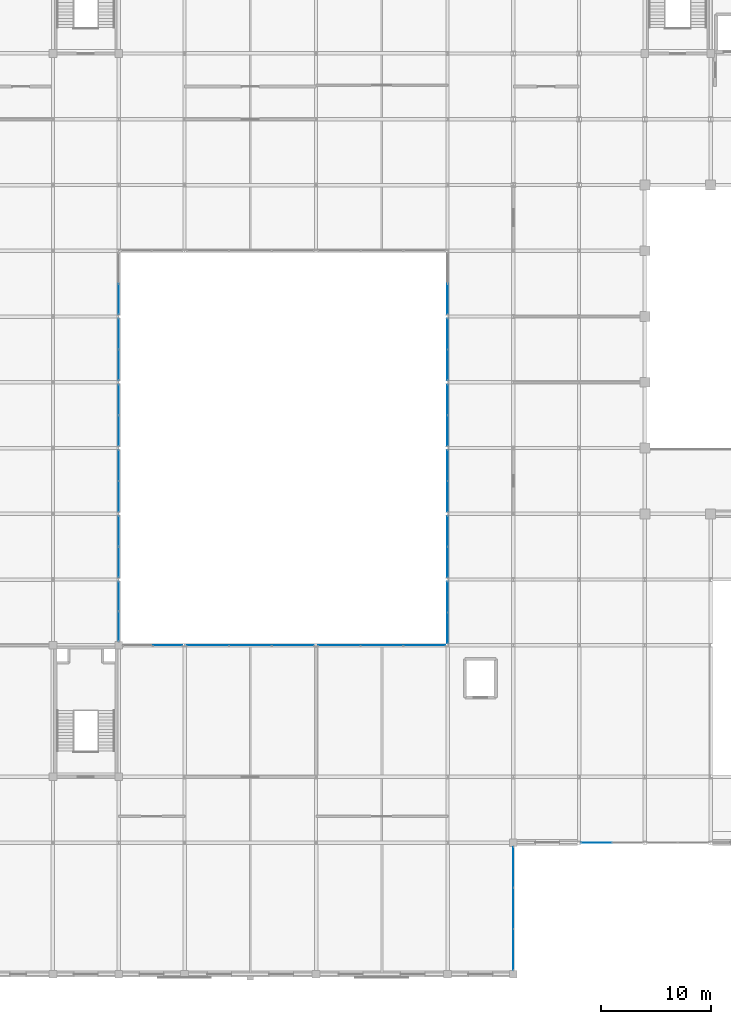
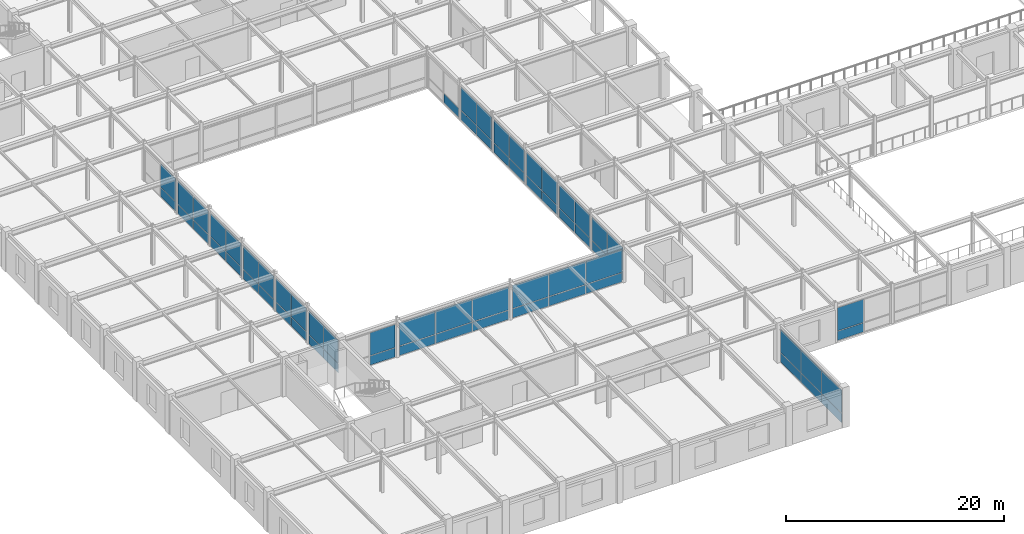
# One storey, part 93 of 108: 65 plates, 17 elements without a shape of their own.
"""IFC4 building model written with IfcOpenShell, lengths in metres."""

import ifcopenshell
import ifcopenshell.guid

model = None  # the IFC model being written
_history = None  # IfcOwnerHistory: only IFC2X3 demands one
_inside = {}  # id of a spatial element -> (the spatial element, [elements in it])
_under = {}  # id of a project, library or spatial element -> (it, [spatial elements below it])
_declared = {}  # id of a project -> (the project, [libraries it declares])
_typed = {}  # id of a type object -> (the type object, [elements of that type])
_made_of = {}  # id of a material, layer set ... -> (it, [elements and type objects made of it])


def new_model(schema):
    """Start an empty IFC model of exactly this schema.

    Asked for "IFC4X3", IfcOpenShell would pick the latest addendum, in which some entities
    have other attributes; the version numbers below select the first issue.
    IFC2X3 requires an IfcOwnerHistory on every rooted entity: one is made here for all.
    """
    global model, _history
    if schema == "IFC4X3":
        model = ifcopenshell.file(schema_version=(4, 3, 0, 0))
    else:
        model = ifcopenshell.file(schema=schema)
    _inside.clear()
    _under.clear()
    _declared.clear()
    _typed.clear()
    _made_of.clear()
    _history = None
    if model.schema == "IFC2X3":
        org = make("IfcOrganization", Name="unknown")
        user = make(
            "IfcPersonAndOrganization",
            ThePerson=make("IfcPerson", FamilyName="unknown"),
            TheOrganization=org,
        )
        app = make(
            "IfcApplication",
            ApplicationDeveloper=org,
            Version="unknown",
            ApplicationFullName="unknown",
            ApplicationIdentifier="unknown",
        )
        _history = make(
            "IfcOwnerHistory",
            OwningUser=user,
            OwningApplication=app,
            ChangeAction="ADDED",
            CreationDate=0,
        )
    return model


def make(cls, **values):
    """One entity of the class cls with the attributes given. An attribute that is None is left unset."""
    return model.create_entity(
        cls, **{name: value for name, value in values.items() if value is not None}
    )


def rooted(cls, **values):
    """An entity with a GlobalId (a new one), such as an element, a storey or a relation."""
    return make(cls, GlobalId=ifcopenshell.guid.new(), OwnerHistory=_history, **values)


def si_unit(unit_type, name, prefix=None):
    """IfcSIUnit, for example si_unit("LENGTHUNIT", "METRE", prefix="MILLI")."""
    return make("IfcSIUnit", UnitType=unit_type, Prefix=prefix, Name=name)


def assignment(units):
    """IfcUnitAssignment: the units of a project."""
    return None if units is None else make("IfcUnitAssignment", Units=units)


def point(xyz):
    """IfcCartesianPoint."""
    return None if xyz is None else make("IfcCartesianPoint", Coordinates=xyz)


def direction(xyz):
    """IfcDirection."""
    return None if xyz is None else make("IfcDirection", DirectionRatios=xyz)


def frame(location, z_axis=None, x_axis=None):
    """IfcAxis2Placement3D, a coordinate frame: its origin and axes. An axis left out is left unset."""
    return make(
        "IfcAxis2Placement3D",
        Location=point(location),
        Axis=direction(z_axis),
        RefDirection=direction(x_axis),
    )


def frame_2d(location, x_axis=None):
    """IfcAxis2Placement2D, a coordinate frame in the plane: its origin and x axis."""
    return make(
        "IfcAxis2Placement2D", Location=point(location), RefDirection=direction(x_axis)
    )


def origin():
    """The frame at (0, 0, 0) with its axes left unset."""
    return frame((0.0, 0.0, 0.0))


def origin_2d():
    """The frame at (0, 0) in the plane with its x axis left unset."""
    return frame_2d((0.0, 0.0))


def place(relative_to, where):
    """IfcLocalPlacement: puts the frame where relative to a parent placement (None: the world)."""
    return make(
        "IfcLocalPlacement", PlacementRelTo=relative_to, RelativePlacement=where
    )


def context(
    kind, dimensions, precision=None, world=None, true_north=None, identifier=None
):
    """IfcGeometricRepresentationContext, for example the 3D "Model" context."""
    return make(
        "IfcGeometricRepresentationContext",
        ContextIdentifier=identifier,
        ContextType=kind,
        CoordinateSpaceDimension=dimensions,
        Precision=precision,
        WorldCoordinateSystem=world,
        TrueNorth=true_north,
    )


def subcontext(parent, identifier, kind, view, scale=None):
    """IfcGeometricRepresentationSubContext, for example "Body" below "Model"."""
    return make(
        "IfcGeometricRepresentationSubContext",
        ContextIdentifier=identifier,
        ContextType=kind,
        ParentContext=parent,
        TargetScale=scale,
        TargetView=view,
    )


def project(units=None, contexts=None):
    """IfcProject with its units and contexts."""
    return rooted(
        "IfcProject",
        Name="project",
        RepresentationContexts=contexts,
        UnitsInContext=assignment(units),
    )


def spatial(cls, under=None, at=None, **own):
    """A site, building, storey or space (cls), placed at a placement, below another one or the project."""
    s = rooted(cls, ObjectPlacement=at, **own)
    if under is not None:
        _under.setdefault(under.id(), (under, []))[1].append(s)
    return s


def profile(cls, at=None, kind="AREA", **sizes):
    """A parametric profile (cls). Its sizes go by their IFC names, for example OverallWidth=200.0."""
    return make(cls, ProfileType=kind, Position=at, **sizes)


def rectangle(**sizes):
    """IfcRectangleProfileDef."""
    return profile("IfcRectangleProfileDef", **sizes)


def extrude(swept, where, along, depth):
    """IfcExtrudedAreaSolid: the profile swept, set in the frame where, extruded along a direction by depth."""
    return make(
        "IfcExtrudedAreaSolid",
        SweptArea=swept,
        Position=where,
        ExtrudedDirection=direction(along),
        Depth=depth,
    )


def shape(context_of_items, identifier, shape_type, items):
    """IfcShapeRepresentation: the items that make up one representation, for example the "Body"."""
    return make(
        "IfcShapeRepresentation",
        ContextOfItems=context_of_items,
        RepresentationIdentifier=identifier,
        RepresentationType=shape_type,
        Items=items,
    )


def material(Name=None, Category=None):
    """IfcMaterial."""
    return make("IfcMaterial", Name=Name, Category=Category)


def layer(
    of_material, thickness, ventilated=None, Name=None, Category=None, Priority=None
):
    """IfcMaterialLayer: one layer of a wall or slab, of a material (None: an air gap)."""
    return make(
        "IfcMaterialLayer",
        Material=of_material,
        LayerThickness=thickness,
        IsVentilated=ventilated,
        Name=Name,
        Category=Category,
        Priority=Priority,
    )


def layer_set(layers, Name=None):
    """IfcMaterialLayerSet."""
    return make("IfcMaterialLayerSet", MaterialLayers=layers, LayerSetName=Name)


def made_of(thing, what):
    """Note that an element or type object is made of a material, layer set ...; save() writes the relation."""
    if what is not None:
        _made_of.setdefault(what.id(), (what, []))[1].append(thing)
    return thing


def type_object(cls, material=None, **own):
    """A type object (cls), such as IfcWallType, which elements share."""
    return made_of(rooted(cls, **own), material)


def element(
    cls,
    number,
    at=None,
    inside=None,
    cuts=None,
    type_object=None,
    material=None,
    context=None,
    identifier="Body",
    shape_type=None,
    held_by="IfcProductDefinitionShape",
    body=None,
    shapes=None,
    **own,
):
    """One element of the class cls, such as IfcWall. Its Tag is "e" and its number.

    at: its placement. inside: the storey or other place that contains it. cuts: it is an
    opening in that element (IfcRelVoidsElement). A single representation is given by context,
    identifier, shape_type and body (its items); several are given by shapes. held_by: the class
    of the entity that holds the representations. save() writes the other relations.
    """
    e = rooted(cls, Tag="e%d" % number, ObjectPlacement=at, **own)
    if body is not None:
        shapes = [shape(context, identifier, shape_type, body)]
    if shapes is not None:
        e.Representation = make(held_by, Representations=shapes)
    if inside is not None:
        _inside.setdefault(inside.id(), (inside, []))[1].append(e)
    if cuts is not None:
        rooted(
            "IfcRelVoidsElement", RelatingBuildingElement=cuts, RelatedOpeningElement=e
        )
    if type_object is not None:
        _typed.setdefault(type_object.id(), (type_object, []))[1].append(e)
    return made_of(e, material)


def aggregate(whole, parts):
    """IfcRelAggregates: a whole, such as a stair, and the parts it consists of."""
    return rooted("IfcRelAggregates", RelatingObject=whole, RelatedObjects=parts)


def save(model, path):
    """Write the relations noted so far, then the file.

    IfcRelAggregates (storeys below a building ...), IfcRelContainedInSpatialStructure (elements
    in a storey), IfcRelDefinesByType, IfcRelAssociatesMaterial and IfcRelDeclares: one each for
    every whole, place, type object, material and project.
    """
    for whole, parts in _under.values():
        aggregate(whole, parts)
    for where, things in _inside.values():
        rooted(
            "IfcRelContainedInSpatialStructure",
            RelatedElements=things,
            RelatingStructure=where,
        )
    for kind, things in _typed.values():
        rooted("IfcRelDefinesByType", RelatedObjects=things, RelatingType=kind)
    for what, things in _made_of.values():
        rooted("IfcRelAssociatesMaterial", RelatedObjects=things, RelatingMaterial=what)
    for by, libraries in _declared.values():
        rooted("IfcRelDeclares", RelatingContext=by, RelatedDefinitions=libraries)
    model.write(path)


model = new_model("IFC4")

# Units and contexts
model_context = context("Model", 3, precision=1e-05, world=origin(), true_north=direction((0.0, 1.0)))
body_context = subcontext(model_context, "Body", "Model", "MODEL_VIEW")
ifc_project = project(units=[si_unit("LENGTHUNIT", "METRE"), si_unit("AREAUNIT", "SQUARE_METRE"), si_unit("VOLUMEUNIT", "CUBIC_METRE"), si_unit("PLANEANGLEUNIT", "RADIAN"), si_unit("MASSUNIT", "GRAM", prefix="KILO")], contexts=[model_context])

# Site, building, storey
site_placement = place(None, origin())
site = spatial("IfcSite", under=ifc_project, at=site_placement, CompositionType="ELEMENT")
building_placement = place(site_placement, origin())
building = spatial("IfcBuilding", under=site, at=building_placement, Name="Zlatovratsky Civic Hall", CompositionType="ELEMENT")
storey_placement = place(building_placement, frame((0.0, 0.0, 12.0)))
storey = spatial("IfcBuildingStorey", under=building, at=storey_placement, Name="L03", CompositionType="ELEMENT", Elevation=12.0)

# Curtain wall, plates
ifc_material_1 = material(Name="Anodised bronze aluminium", Category="aluminium")
ifc_layer_1 = layer(ifc_material_1, 0.159912109375)
ifc_layer_set_1 = layer_set([ifc_layer_1], Name="Anodised bronze aluminium")
curtain_wall_type_1 = type_object("IfcCurtainWallType", Name="CurtainWall_Bronze_5500x3770_10", PredefinedType="NOTDEFINED", material=ifc_layer_set_1)
curtain_wall_1_placement = place(storey_placement, origin())
curtain_wall_1 = element("IfcCurtainWall", 1, at=curtain_wall_1_placement, inside=storey, type_object=curtain_wall_type_1, Name="CW-051", PredefinedType="NOTDEFINED")
ifc_material_2 = material(Name="Low-E laminated double glazing", Category="glass")
ifc_layer_2 = layer(ifc_material_2, 0.02392578125)
ifc_layer_set_2 = layer_set([ifc_layer_2], Name="Low-E laminated double glazing")
plate_type_1 = type_object("IfcPlateType", Name="Panel_CourtGlazing_24", PredefinedType="CURTAIN_PANEL", material=ifc_layer_set_2)
plate_1_placement = place(storey_placement, frame((22.46044921875, 30.0, 0.06005859375), z_axis=(0.0, 0.0, 1.0), x_axis=(1.0, 0.0, 0.0)))
plate_1 = element("IfcPlate", 2, at=plate_1_placement, type_object=plate_type_1, Name="CW-10 panel 2.1", PredefinedType="CURTAIN_PANEL", context=body_context, shape_type="SweptSolid", body=[
    extrude(rectangle(XDim=2.66015625, YDim=0.02392578125, at=origin_2d()), origin(), (0.0, 0.0, 1.0), 1.010009765625),
])
plate_2_placement = place(storey_placement, frame((22.46044921875, 30.0, 1.1298828125), z_axis=(0.0, 0.0, 1.0), x_axis=(1.0, 0.0, 0.0)))
plate_2 = element("IfcPlate", 3, at=plate_2_placement, type_object=plate_type_1, Name="CW-10 panel 2.2", PredefinedType="CURTAIN_PANEL", context=body_context, shape_type="SweptSolid", body=[
    extrude(rectangle(XDim=2.66015625, YDim=0.02392578125, at=origin_2d()), origin(), (0.0, 0.0, 1.0), 2.580078125),
])
aggregate(curtain_wall_1, [plate_1, plate_2])

ifc_layer_3 = layer(ifc_material_1, 0.159912109375)
ifc_layer_set_3 = layer_set([ifc_layer_3], Name="Anodised bronze aluminium")
curtain_wall_type_2 = type_object("IfcCurtainWallType", Name="CurtainWall_Bronze_11700x3770_11", PredefinedType="NOTDEFINED", material=ifc_layer_set_3)
curtain_wall_2_placement = place(storey_placement, origin())
curtain_wall_2 = element("IfcCurtainWall", 4, at=curtain_wall_2_placement, inside=storey, type_object=curtain_wall_type_2, Name="CW-052", PredefinedType="NOTDEFINED")
plate_3_placement = place(storey_placement, frame((26.11474609375, 30.0, 0.06005859375), z_axis=(0.0, 0.0, 1.0), x_axis=(1.0, 0.0, 0.0)))
plate_3 = element("IfcPlate", 5, at=plate_3_placement, type_object=plate_type_1, Name="CW-11 panel 1.1", PredefinedType="CURTAIN_PANEL", context=body_context, shape_type="SweptSolid", body=[
    extrude(rectangle(XDim=3.810302734375, YDim=0.02392578125, at=origin_2d()), origin(), (0.0, 0.0, 1.0), 1.010009765625),
])
plate_4_placement = place(storey_placement, frame((26.11474609375, 30.0, 1.1298828125), z_axis=(0.0, 0.0, 1.0), x_axis=(1.0, 0.0, 0.0)))
plate_4 = element("IfcPlate", 6, at=plate_4_placement, type_object=plate_type_1, Name="CW-11 panel 1.2", PredefinedType="CURTAIN_PANEL", context=body_context, shape_type="SweptSolid", body=[
    extrude(rectangle(XDim=3.810302734375, YDim=0.02392578125, at=origin_2d()), origin(), (0.0, 0.0, 1.0), 2.580078125),
])
plate_5_placement = place(storey_placement, frame((30.0, 30.0, 0.06005859375), z_axis=(0.0, 0.0, 1.0), x_axis=(1.0, 0.0, 0.0)))
plate_5 = element("IfcPlate", 7, at=plate_5_placement, type_object=plate_type_1, Name="CW-11 panel 2.1", PredefinedType="CURTAIN_PANEL", context=body_context, shape_type="SweptSolid", body=[
    extrude(rectangle(XDim=3.84033203125, YDim=0.02392578125, at=origin_2d()), origin(), (0.0, 0.0, 1.0), 1.010009765625),
])
plate_6_placement = place(storey_placement, frame((30.0, 30.0, 1.1298828125), z_axis=(0.0, 0.0, 1.0), x_axis=(1.0, 0.0, 0.0)))
plate_6 = element("IfcPlate", 8, at=plate_6_placement, type_object=plate_type_1, Name="CW-11 panel 2.2", PredefinedType="CURTAIN_PANEL", context=body_context, shape_type="SweptSolid", body=[
    extrude(rectangle(XDim=3.84033203125, YDim=0.02392578125, at=origin_2d()), origin(), (0.0, 0.0, 1.0), 2.580078125),
])
plate_7_placement = place(storey_placement, frame((33.88525390625, 30.0, 0.06005859375), z_axis=(0.0, 0.0, 1.0), x_axis=(1.0, 0.0, 0.0)))
plate_7 = element("IfcPlate", 9, at=plate_7_placement, type_object=plate_type_1, Name="CW-11 panel 3.1", PredefinedType="CURTAIN_PANEL", context=body_context, shape_type="SweptSolid", body=[
    extrude(rectangle(XDim=3.810302734375, YDim=0.02392578125, at=origin_2d()), origin(), (0.0, 0.0, 1.0), 1.010009765625),
])
plate_8_placement = place(storey_placement, frame((33.88525390625, 30.0, 1.1298828125), z_axis=(0.0, 0.0, 1.0), x_axis=(1.0, 0.0, 0.0)))
plate_8 = element("IfcPlate", 10, at=plate_8_placement, type_object=plate_type_1, Name="CW-11 panel 3.2", PredefinedType="CURTAIN_PANEL", context=body_context, shape_type="SweptSolid", body=[
    extrude(rectangle(XDim=3.810302734375, YDim=0.02392578125, at=origin_2d()), origin(), (0.0, 0.0, 1.0), 2.580078125),
])
aggregate(curtain_wall_2, [plate_3, plate_4, plate_5, plate_6, plate_7, plate_8])

curtain_wall_3_placement = place(storey_placement, origin())
curtain_wall_3 = element("IfcCurtainWall", 11, at=curtain_wall_3_placement, inside=storey, type_object=curtain_wall_type_2, Name="CW-053", PredefinedType="NOTDEFINED")
plate_9_placement = place(storey_placement, frame((38.11474609375, 30.0, 0.06005859375), z_axis=(0.0, 0.0, 1.0), x_axis=(1.0, 0.0, 0.0)))
plate_9 = element("IfcPlate", 12, at=plate_9_placement, type_object=plate_type_1, Name="CW-11 panel 1.1", PredefinedType="CURTAIN_PANEL", context=body_context, shape_type="SweptSolid", body=[
    extrude(rectangle(XDim=3.810302734375, YDim=0.02392578125, at=origin_2d()), origin(), (0.0, 0.0, 1.0), 1.010009765625),
])
plate_10_placement = place(storey_placement, frame((38.11474609375, 30.0, 1.1298828125), z_axis=(0.0, 0.0, 1.0), x_axis=(1.0, 0.0, 0.0)))
plate_10 = element("IfcPlate", 13, at=plate_10_placement, type_object=plate_type_1, Name="CW-11 panel 1.2", PredefinedType="CURTAIN_PANEL", context=body_context, shape_type="SweptSolid", body=[
    extrude(rectangle(XDim=3.810302734375, YDim=0.02392578125, at=origin_2d()), origin(), (0.0, 0.0, 1.0), 2.580078125),
])
plate_11_placement = place(storey_placement, frame((42.0, 30.0, 0.06005859375), z_axis=(0.0, 0.0, 1.0), x_axis=(1.0, 0.0, 0.0)))
plate_11 = element("IfcPlate", 14, at=plate_11_placement, type_object=plate_type_1, Name="CW-11 panel 2.1", PredefinedType="CURTAIN_PANEL", context=body_context, shape_type="SweptSolid", body=[
    extrude(rectangle(XDim=3.84033203125, YDim=0.02392578125, at=origin_2d()), origin(), (0.0, 0.0, 1.0), 1.010009765625),
])
plate_12_placement = place(storey_placement, frame((42.0, 30.0, 1.1298828125), z_axis=(0.0, 0.0, 1.0), x_axis=(1.0, 0.0, 0.0)))
plate_12 = element("IfcPlate", 15, at=plate_12_placement, type_object=plate_type_1, Name="CW-11 panel 2.2", PredefinedType="CURTAIN_PANEL", context=body_context, shape_type="SweptSolid", body=[
    extrude(rectangle(XDim=3.84033203125, YDim=0.02392578125, at=origin_2d()), origin(), (0.0, 0.0, 1.0), 2.580078125),
])
plate_13_placement = place(storey_placement, frame((45.88525390625, 30.0, 0.06005859375), z_axis=(0.0, 0.0, 1.0), x_axis=(1.0, 0.0, 0.0)))
plate_13 = element("IfcPlate", 16, at=plate_13_placement, type_object=plate_type_1, Name="CW-11 panel 3.1", PredefinedType="CURTAIN_PANEL", context=body_context, shape_type="SweptSolid", body=[
    extrude(rectangle(XDim=3.810302734375, YDim=0.02392578125, at=origin_2d()), origin(), (0.0, 0.0, 1.0), 1.010009765625),
])
plate_14_placement = place(storey_placement, frame((45.88525390625, 30.0, 1.1298828125), z_axis=(0.0, 0.0, 1.0), x_axis=(1.0, 0.0, 0.0)))
plate_14 = element("IfcPlate", 17, at=plate_14_placement, type_object=plate_type_1, Name="CW-11 panel 3.2", PredefinedType="CURTAIN_PANEL", context=body_context, shape_type="SweptSolid", body=[
    extrude(rectangle(XDim=3.810302734375, YDim=0.02392578125, at=origin_2d()), origin(), (0.0, 0.0, 1.0), 2.580078125),
])
aggregate(curtain_wall_3, [plate_9, plate_10, plate_11, plate_12, plate_13, plate_14])

curtain_wall_4_placement = place(storey_placement, origin())
curtain_wall_4 = element("IfcCurtainWall", 18, at=curtain_wall_4_placement, inside=storey, type_object=curtain_wall_type_1, Name="CW-057", PredefinedType="NOTDEFINED")
plate_15_placement = place(storey_placement, frame((18.0, 31.740478515625, 0.06005859375), z_axis=(0.0, 0.0, 1.0), x_axis=(0.0, 1.0, 0.0)))
plate_15 = element("IfcPlate", 19, at=plate_15_placement, type_object=plate_type_1, Name="CW-10 panel 1.1", PredefinedType="CURTAIN_PANEL", context=body_context, shape_type="SweptSolid", body=[
    extrude(rectangle(XDim=2.660888671875, YDim=0.02392578125, at=origin_2d()), origin(), (0.0, 0.0, 1.0), 1.010009765625),
])
plate_16_placement = place(storey_placement, frame((18.0, 31.740478515625, 1.1298828125), z_axis=(0.0, 0.0, 1.0), x_axis=(0.0, 1.0, 0.0)))
plate_16 = element("IfcPlate", 20, at=plate_16_placement, type_object=plate_type_1, Name="CW-10 panel 1.2", PredefinedType="CURTAIN_PANEL", context=body_context, shape_type="SweptSolid", body=[
    extrude(rectangle(XDim=2.660888671875, YDim=0.02392578125, at=origin_2d()), origin(), (0.0, 0.0, 1.0), 2.580078125),
])
plate_17_placement = place(storey_placement, frame((18.0, 34.46142578125, 0.06005859375), z_axis=(0.0, 0.0, 1.0), x_axis=(0.0, 1.0, 0.0)))
plate_17 = element("IfcPlate", 21, at=plate_17_placement, type_object=plate_type_1, Name="CW-10 panel 2.1", PredefinedType="CURTAIN_PANEL", context=body_context, shape_type="SweptSolid", body=[
    extrude(rectangle(XDim=2.660888671875, YDim=0.02392578125, at=origin_2d()), origin(), (0.0, 0.0, 1.0), 1.010009765625),
])
plate_18_placement = place(storey_placement, frame((18.0, 34.46142578125, 1.1298828125), z_axis=(0.0, 0.0, 1.0), x_axis=(0.0, 1.0, 0.0)))
plate_18 = element("IfcPlate", 22, at=plate_18_placement, type_object=plate_type_1, Name="CW-10 panel 2.2", PredefinedType="CURTAIN_PANEL", context=body_context, shape_type="SweptSolid", body=[
    extrude(rectangle(XDim=2.660888671875, YDim=0.02392578125, at=origin_2d()), origin(), (0.0, 0.0, 1.0), 2.580078125),
])
aggregate(curtain_wall_4, [plate_15, plate_16, plate_17, plate_18])

ifc_layer_4 = layer(ifc_material_1, 0.159912109375)
ifc_layer_set_4 = layer_set([ifc_layer_4], Name="Anodised bronze aluminium")
curtain_wall_type_3 = type_object("IfcCurtainWallType", Name="CurtainWall_Bronze_5700x3770_12", PredefinedType="NOTDEFINED", material=ifc_layer_set_4)
curtain_wall_5_placement = place(storey_placement, origin())
curtain_wall_5 = element("IfcCurtainWall", 23, at=curtain_wall_5_placement, inside=storey, type_object=curtain_wall_type_3, Name="CW-058", PredefinedType="NOTDEFINED")
plate_19_placement = place(storey_placement, frame((18.0, 37.589111328125, 0.06005859375), z_axis=(0.0, 0.0, 1.0), x_axis=(0.0, 1.0, 0.0)))
plate_19 = element("IfcPlate", 24, at=plate_19_placement, type_object=plate_type_1, Name="CW-12 panel 1.1", PredefinedType="CURTAIN_PANEL", context=body_context, shape_type="SweptSolid", body=[
    extrude(rectangle(XDim=2.761962890625, YDim=0.02392578125, at=origin_2d()), origin(), (0.0, 0.0, 1.0), 1.010009765625),
])
plate_20_placement = place(storey_placement, frame((18.0, 37.589111328125, 1.1298828125), z_axis=(0.0, 0.0, 1.0), x_axis=(0.0, 1.0, 0.0)))
plate_20 = element("IfcPlate", 25, at=plate_20_placement, type_object=plate_type_1, Name="CW-12 panel 1.2", PredefinedType="CURTAIN_PANEL", context=body_context, shape_type="SweptSolid", body=[
    extrude(rectangle(XDim=2.761962890625, YDim=0.02392578125, at=origin_2d()), origin(), (0.0, 0.0, 1.0), 2.580078125),
])
plate_21_placement = place(storey_placement, frame((18.0, 40.410888671875, 0.06005859375), z_axis=(0.0, 0.0, 1.0), x_axis=(0.0, 1.0, 0.0)))
plate_21 = element("IfcPlate", 26, at=plate_21_placement, type_object=plate_type_1, Name="CW-12 panel 2.1", PredefinedType="CURTAIN_PANEL", context=body_context, shape_type="SweptSolid", body=[
    extrude(rectangle(XDim=2.761962890625, YDim=0.02392578125, at=origin_2d()), origin(), (0.0, 0.0, 1.0), 1.010009765625),
])
plate_22_placement = place(storey_placement, frame((18.0, 40.410888671875, 1.1298828125), z_axis=(0.0, 0.0, 1.0), x_axis=(0.0, 1.0, 0.0)))
plate_22 = element("IfcPlate", 27, at=plate_22_placement, type_object=plate_type_1, Name="CW-12 panel 2.2", PredefinedType="CURTAIN_PANEL", context=body_context, shape_type="SweptSolid", body=[
    extrude(rectangle(XDim=2.761962890625, YDim=0.02392578125, at=origin_2d()), origin(), (0.0, 0.0, 1.0), 2.580078125),
])
aggregate(curtain_wall_5, [plate_19, plate_20, plate_21, plate_22])

curtain_wall_6_placement = place(storey_placement, origin())
curtain_wall_6 = element("IfcCurtainWall", 28, at=curtain_wall_6_placement, inside=storey, type_object=curtain_wall_type_3, Name="CW-059", PredefinedType="NOTDEFINED")
plate_23_placement = place(storey_placement, frame((18.0, 43.589111328125, 0.06005859375), z_axis=(0.0, 0.0, 1.0), x_axis=(0.0, 1.0, 0.0)))
plate_23 = element("IfcPlate", 29, at=plate_23_placement, type_object=plate_type_1, Name="CW-12 panel 1.1", PredefinedType="CURTAIN_PANEL", context=body_context, shape_type="SweptSolid", body=[
    extrude(rectangle(XDim=2.761962890625, YDim=0.02392578125, at=origin_2d()), origin(), (0.0, 0.0, 1.0), 1.010009765625),
])
plate_24_placement = place(storey_placement, frame((18.0, 43.589111328125, 1.1298828125), z_axis=(0.0, 0.0, 1.0), x_axis=(0.0, 1.0, 0.0)))
plate_24 = element("IfcPlate", 30, at=plate_24_placement, type_object=plate_type_1, Name="CW-12 panel 1.2", PredefinedType="CURTAIN_PANEL", context=body_context, shape_type="SweptSolid", body=[
    extrude(rectangle(XDim=2.761962890625, YDim=0.02392578125, at=origin_2d()), origin(), (0.0, 0.0, 1.0), 2.580078125),
])
plate_25_placement = place(storey_placement, frame((18.0, 46.410888671875, 0.06005859375), z_axis=(0.0, 0.0, 1.0), x_axis=(0.0, 1.0, 0.0)))
plate_25 = element("IfcPlate", 31, at=plate_25_placement, type_object=plate_type_1, Name="CW-12 panel 2.1", PredefinedType="CURTAIN_PANEL", context=body_context, shape_type="SweptSolid", body=[
    extrude(rectangle(XDim=2.761962890625, YDim=0.02392578125, at=origin_2d()), origin(), (0.0, 0.0, 1.0), 1.010009765625),
])
plate_26_placement = place(storey_placement, frame((18.0, 46.410888671875, 1.1298828125), z_axis=(0.0, 0.0, 1.0), x_axis=(0.0, 1.0, 0.0)))
plate_26 = element("IfcPlate", 32, at=plate_26_placement, type_object=plate_type_1, Name="CW-12 panel 2.2", PredefinedType="CURTAIN_PANEL", context=body_context, shape_type="SweptSolid", body=[
    extrude(rectangle(XDim=2.761962890625, YDim=0.02392578125, at=origin_2d()), origin(), (0.0, 0.0, 1.0), 2.580078125),
])
aggregate(curtain_wall_6, [plate_23, plate_24, plate_25, plate_26])

curtain_wall_7_placement = place(storey_placement, origin())
curtain_wall_7 = element("IfcCurtainWall", 33, at=curtain_wall_7_placement, inside=storey, type_object=curtain_wall_type_3, Name="CW-060", PredefinedType="NOTDEFINED")
plate_27_placement = place(storey_placement, frame((18.0, 49.589111328125, 0.06005859375), z_axis=(0.0, 0.0, 1.0), x_axis=(0.0, 1.0, 0.0)))
plate_27 = element("IfcPlate", 34, at=plate_27_placement, type_object=plate_type_1, Name="CW-12 panel 1.1", PredefinedType="CURTAIN_PANEL", context=body_context, shape_type="SweptSolid", body=[
    extrude(rectangle(XDim=2.761962890625, YDim=0.02392578125, at=origin_2d()), origin(), (0.0, 0.0, 1.0), 1.010009765625),
])
plate_28_placement = place(storey_placement, frame((18.0, 49.589111328125, 1.1298828125), z_axis=(0.0, 0.0, 1.0), x_axis=(0.0, 1.0, 0.0)))
plate_28 = element("IfcPlate", 35, at=plate_28_placement, type_object=plate_type_1, Name="CW-12 panel 1.2", PredefinedType="CURTAIN_PANEL", context=body_context, shape_type="SweptSolid", body=[
    extrude(rectangle(XDim=2.761962890625, YDim=0.02392578125, at=origin_2d()), origin(), (0.0, 0.0, 1.0), 2.580078125),
])
plate_29_placement = place(storey_placement, frame((18.0, 52.410888671875, 0.06005859375), z_axis=(0.0, 0.0, 1.0), x_axis=(0.0, 1.0, 0.0)))
plate_29 = element("IfcPlate", 36, at=plate_29_placement, type_object=plate_type_1, Name="CW-12 panel 2.1", PredefinedType="CURTAIN_PANEL", context=body_context, shape_type="SweptSolid", body=[
    extrude(rectangle(XDim=2.761962890625, YDim=0.02392578125, at=origin_2d()), origin(), (0.0, 0.0, 1.0), 1.010009765625),
])
plate_30_placement = place(storey_placement, frame((18.0, 52.410888671875, 1.1298828125), z_axis=(0.0, 0.0, 1.0), x_axis=(0.0, 1.0, 0.0)))
plate_30 = element("IfcPlate", 37, at=plate_30_placement, type_object=plate_type_1, Name="CW-12 panel 2.2", PredefinedType="CURTAIN_PANEL", context=body_context, shape_type="SweptSolid", body=[
    extrude(rectangle(XDim=2.761962890625, YDim=0.02392578125, at=origin_2d()), origin(), (0.0, 0.0, 1.0), 2.580078125),
])
aggregate(curtain_wall_7, [plate_27, plate_28, plate_29, plate_30])

curtain_wall_8_placement = place(storey_placement, origin())
curtain_wall_8 = element("IfcCurtainWall", 38, at=curtain_wall_8_placement, inside=storey, type_object=curtain_wall_type_3, Name="CW-061", PredefinedType="NOTDEFINED")
plate_31_placement = place(storey_placement, frame((18.0, 55.589111328125, 0.06005859375), z_axis=(0.0, 0.0, 1.0), x_axis=(0.0, 1.0, 0.0)))
plate_31 = element("IfcPlate", 39, at=plate_31_placement, type_object=plate_type_1, Name="CW-12 panel 1.1", PredefinedType="CURTAIN_PANEL", context=body_context, shape_type="SweptSolid", body=[
    extrude(rectangle(XDim=2.761962890625, YDim=0.02392578125, at=origin_2d()), origin(), (0.0, 0.0, 1.0), 1.010009765625),
])
plate_32_placement = place(storey_placement, frame((18.0, 55.589111328125, 1.1298828125), z_axis=(0.0, 0.0, 1.0), x_axis=(0.0, 1.0, 0.0)))
plate_32 = element("IfcPlate", 40, at=plate_32_placement, type_object=plate_type_1, Name="CW-12 panel 1.2", PredefinedType="CURTAIN_PANEL", context=body_context, shape_type="SweptSolid", body=[
    extrude(rectangle(XDim=2.761962890625, YDim=0.02392578125, at=origin_2d()), origin(), (0.0, 0.0, 1.0), 2.580078125),
])
plate_33_placement = place(storey_placement, frame((18.0, 58.410888671875, 0.06005859375), z_axis=(0.0, 0.0, 1.0), x_axis=(0.0, 1.0, 0.0)))
plate_33 = element("IfcPlate", 41, at=plate_33_placement, type_object=plate_type_1, Name="CW-12 panel 2.1", PredefinedType="CURTAIN_PANEL", context=body_context, shape_type="SweptSolid", body=[
    extrude(rectangle(XDim=2.761962890625, YDim=0.02392578125, at=origin_2d()), origin(), (0.0, 0.0, 1.0), 1.010009765625),
])
plate_34_placement = place(storey_placement, frame((18.0, 58.410888671875, 1.1298828125), z_axis=(0.0, 0.0, 1.0), x_axis=(0.0, 1.0, 0.0)))
plate_34 = element("IfcPlate", 42, at=plate_34_placement, type_object=plate_type_1, Name="CW-12 panel 2.2", PredefinedType="CURTAIN_PANEL", context=body_context, shape_type="SweptSolid", body=[
    extrude(rectangle(XDim=2.761962890625, YDim=0.02392578125, at=origin_2d()), origin(), (0.0, 0.0, 1.0), 2.580078125),
])
aggregate(curtain_wall_8, [plate_31, plate_32, plate_33, plate_34])

curtain_wall_9_placement = place(storey_placement, origin())
curtain_wall_9 = element("IfcCurtainWall", 43, at=curtain_wall_9_placement, inside=storey, type_object=curtain_wall_type_3, Name="CW-062", PredefinedType="NOTDEFINED")
plate_35_placement = place(storey_placement, frame((18.0, 61.589111328125, 0.06005859375), z_axis=(0.0, 0.0, 1.0), x_axis=(0.0, 1.0, 0.0)))
plate_35 = element("IfcPlate", 44, at=plate_35_placement, type_object=plate_type_1, Name="CW-12 panel 1.1", PredefinedType="CURTAIN_PANEL", context=body_context, shape_type="SweptSolid", body=[
    extrude(rectangle(XDim=2.761962890625, YDim=0.02392578125, at=origin_2d()), origin(), (0.0, 0.0, 1.0), 1.010009765625),
])
plate_36_placement = place(storey_placement, frame((18.0, 61.589111328125, 1.1298828125), z_axis=(0.0, 0.0, 1.0), x_axis=(0.0, 1.0, 0.0)))
plate_36 = element("IfcPlate", 45, at=plate_36_placement, type_object=plate_type_1, Name="CW-12 panel 1.2", PredefinedType="CURTAIN_PANEL", context=body_context, shape_type="SweptSolid", body=[
    extrude(rectangle(XDim=2.761962890625, YDim=0.02392578125, at=origin_2d()), origin(), (0.0, 0.0, 1.0), 2.580078125),
])
aggregate(curtain_wall_9, [plate_35, plate_36])

curtain_wall_10_placement = place(storey_placement, origin())
curtain_wall_10 = element("IfcCurtainWall", 46, at=curtain_wall_10_placement, inside=storey, type_object=curtain_wall_type_3, Name="CW-063", PredefinedType="NOTDEFINED")
plate_37_placement = place(storey_placement, frame((48.0, 31.589111328125, 0.06005859375), z_axis=(0.0, 0.0, 1.0), x_axis=(0.0, 1.0, 0.0)))
plate_37 = element("IfcPlate", 47, at=plate_37_placement, type_object=plate_type_1, Name="CW-12 panel 1.1", PredefinedType="CURTAIN_PANEL", context=body_context, shape_type="SweptSolid", body=[
    extrude(rectangle(XDim=2.761962890625, YDim=0.02392578125, at=origin_2d()), origin(), (0.0, 0.0, 1.0), 1.010009765625),
])
plate_38_placement = place(storey_placement, frame((48.0, 31.589111328125, 1.1298828125), z_axis=(0.0, 0.0, 1.0), x_axis=(0.0, 1.0, 0.0)))
plate_38 = element("IfcPlate", 48, at=plate_38_placement, type_object=plate_type_1, Name="CW-12 panel 1.2", PredefinedType="CURTAIN_PANEL", context=body_context, shape_type="SweptSolid", body=[
    extrude(rectangle(XDim=2.761962890625, YDim=0.02392578125, at=origin_2d()), origin(), (0.0, 0.0, 1.0), 2.580078125),
])
plate_39_placement = place(storey_placement, frame((48.0, 34.410888671875, 0.06005859375), z_axis=(0.0, 0.0, 1.0), x_axis=(0.0, 1.0, 0.0)))
plate_39 = element("IfcPlate", 49, at=plate_39_placement, type_object=plate_type_1, Name="CW-12 panel 2.1", PredefinedType="CURTAIN_PANEL", context=body_context, shape_type="SweptSolid", body=[
    extrude(rectangle(XDim=2.761962890625, YDim=0.02392578125, at=origin_2d()), origin(), (0.0, 0.0, 1.0), 1.010009765625),
])
plate_40_placement = place(storey_placement, frame((48.0, 34.410888671875, 1.1298828125), z_axis=(0.0, 0.0, 1.0), x_axis=(0.0, 1.0, 0.0)))
plate_40 = element("IfcPlate", 50, at=plate_40_placement, type_object=plate_type_1, Name="CW-12 panel 2.2", PredefinedType="CURTAIN_PANEL", context=body_context, shape_type="SweptSolid", body=[
    extrude(rectangle(XDim=2.761962890625, YDim=0.02392578125, at=origin_2d()), origin(), (0.0, 0.0, 1.0), 2.580078125),
])
aggregate(curtain_wall_10, [plate_37, plate_38, plate_39, plate_40])

curtain_wall_11_placement = place(storey_placement, origin())
curtain_wall_11 = element("IfcCurtainWall", 51, at=curtain_wall_11_placement, inside=storey, type_object=curtain_wall_type_3, Name="CW-064", PredefinedType="NOTDEFINED")
plate_41_placement = place(storey_placement, frame((48.0, 37.589111328125, 0.06005859375), z_axis=(0.0, 0.0, 1.0), x_axis=(0.0, 1.0, 0.0)))
plate_41 = element("IfcPlate", 52, at=plate_41_placement, type_object=plate_type_1, Name="CW-12 panel 1.1", PredefinedType="CURTAIN_PANEL", context=body_context, shape_type="SweptSolid", body=[
    extrude(rectangle(XDim=2.761962890625, YDim=0.02392578125, at=origin_2d()), origin(), (0.0, 0.0, 1.0), 1.010009765625),
])
plate_42_placement = place(storey_placement, frame((48.0, 37.589111328125, 1.1298828125), z_axis=(0.0, 0.0, 1.0), x_axis=(0.0, 1.0, 0.0)))
plate_42 = element("IfcPlate", 53, at=plate_42_placement, type_object=plate_type_1, Name="CW-12 panel 1.2", PredefinedType="CURTAIN_PANEL", context=body_context, shape_type="SweptSolid", body=[
    extrude(rectangle(XDim=2.761962890625, YDim=0.02392578125, at=origin_2d()), origin(), (0.0, 0.0, 1.0), 2.580078125),
])
plate_43_placement = place(storey_placement, frame((48.0, 40.410888671875, 0.06005859375), z_axis=(0.0, 0.0, 1.0), x_axis=(0.0, 1.0, 0.0)))
plate_43 = element("IfcPlate", 54, at=plate_43_placement, type_object=plate_type_1, Name="CW-12 panel 2.1", PredefinedType="CURTAIN_PANEL", context=body_context, shape_type="SweptSolid", body=[
    extrude(rectangle(XDim=2.761962890625, YDim=0.02392578125, at=origin_2d()), origin(), (0.0, 0.0, 1.0), 1.010009765625),
])
plate_44_placement = place(storey_placement, frame((48.0, 40.410888671875, 1.1298828125), z_axis=(0.0, 0.0, 1.0), x_axis=(0.0, 1.0, 0.0)))
plate_44 = element("IfcPlate", 55, at=plate_44_placement, type_object=plate_type_1, Name="CW-12 panel 2.2", PredefinedType="CURTAIN_PANEL", context=body_context, shape_type="SweptSolid", body=[
    extrude(rectangle(XDim=2.761962890625, YDim=0.02392578125, at=origin_2d()), origin(), (0.0, 0.0, 1.0), 2.580078125),
])
aggregate(curtain_wall_11, [plate_41, plate_42, plate_43, plate_44])

curtain_wall_12_placement = place(storey_placement, origin())
curtain_wall_12 = element("IfcCurtainWall", 56, at=curtain_wall_12_placement, inside=storey, type_object=curtain_wall_type_3, Name="CW-065", PredefinedType="NOTDEFINED")
plate_45_placement = place(storey_placement, frame((48.0, 43.589111328125, 0.06005859375), z_axis=(0.0, 0.0, 1.0), x_axis=(0.0, 1.0, 0.0)))
plate_45 = element("IfcPlate", 57, at=plate_45_placement, type_object=plate_type_1, Name="CW-12 panel 1.1", PredefinedType="CURTAIN_PANEL", context=body_context, shape_type="SweptSolid", body=[
    extrude(rectangle(XDim=2.761962890625, YDim=0.02392578125, at=origin_2d()), origin(), (0.0, 0.0, 1.0), 1.010009765625),
])
plate_46_placement = place(storey_placement, frame((48.0, 43.589111328125, 1.1298828125), z_axis=(0.0, 0.0, 1.0), x_axis=(0.0, 1.0, 0.0)))
plate_46 = element("IfcPlate", 58, at=plate_46_placement, type_object=plate_type_1, Name="CW-12 panel 1.2", PredefinedType="CURTAIN_PANEL", context=body_context, shape_type="SweptSolid", body=[
    extrude(rectangle(XDim=2.761962890625, YDim=0.02392578125, at=origin_2d()), origin(), (0.0, 0.0, 1.0), 2.580078125),
])
plate_47_placement = place(storey_placement, frame((48.0, 46.410888671875, 0.06005859375), z_axis=(0.0, 0.0, 1.0), x_axis=(0.0, 1.0, 0.0)))
plate_47 = element("IfcPlate", 59, at=plate_47_placement, type_object=plate_type_1, Name="CW-12 panel 2.1", PredefinedType="CURTAIN_PANEL", context=body_context, shape_type="SweptSolid", body=[
    extrude(rectangle(XDim=2.761962890625, YDim=0.02392578125, at=origin_2d()), origin(), (0.0, 0.0, 1.0), 1.010009765625),
])
plate_48_placement = place(storey_placement, frame((48.0, 46.410888671875, 1.1298828125), z_axis=(0.0, 0.0, 1.0), x_axis=(0.0, 1.0, 0.0)))
plate_48 = element("IfcPlate", 60, at=plate_48_placement, type_object=plate_type_1, Name="CW-12 panel 2.2", PredefinedType="CURTAIN_PANEL", context=body_context, shape_type="SweptSolid", body=[
    extrude(rectangle(XDim=2.761962890625, YDim=0.02392578125, at=origin_2d()), origin(), (0.0, 0.0, 1.0), 2.580078125),
])
aggregate(curtain_wall_12, [plate_45, plate_46, plate_47, plate_48])

curtain_wall_13_placement = place(storey_placement, origin())
curtain_wall_13 = element("IfcCurtainWall", 61, at=curtain_wall_13_placement, inside=storey, type_object=curtain_wall_type_3, Name="CW-066", PredefinedType="NOTDEFINED")
plate_49_placement = place(storey_placement, frame((48.0, 49.589111328125, 0.06005859375), z_axis=(0.0, 0.0, 1.0), x_axis=(0.0, 1.0, 0.0)))
plate_49 = element("IfcPlate", 62, at=plate_49_placement, type_object=plate_type_1, Name="CW-12 panel 1.1", PredefinedType="CURTAIN_PANEL", context=body_context, shape_type="SweptSolid", body=[
    extrude(rectangle(XDim=2.761962890625, YDim=0.02392578125, at=origin_2d()), origin(), (0.0, 0.0, 1.0), 1.010009765625),
])
plate_50_placement = place(storey_placement, frame((48.0, 49.589111328125, 1.1298828125), z_axis=(0.0, 0.0, 1.0), x_axis=(0.0, 1.0, 0.0)))
plate_50 = element("IfcPlate", 63, at=plate_50_placement, type_object=plate_type_1, Name="CW-12 panel 1.2", PredefinedType="CURTAIN_PANEL", context=body_context, shape_type="SweptSolid", body=[
    extrude(rectangle(XDim=2.761962890625, YDim=0.02392578125, at=origin_2d()), origin(), (0.0, 0.0, 1.0), 2.580078125),
])
plate_51_placement = place(storey_placement, frame((48.0, 52.410888671875, 0.06005859375), z_axis=(0.0, 0.0, 1.0), x_axis=(0.0, 1.0, 0.0)))
plate_51 = element("IfcPlate", 64, at=plate_51_placement, type_object=plate_type_1, Name="CW-12 panel 2.1", PredefinedType="CURTAIN_PANEL", context=body_context, shape_type="SweptSolid", body=[
    extrude(rectangle(XDim=2.761962890625, YDim=0.02392578125, at=origin_2d()), origin(), (0.0, 0.0, 1.0), 1.010009765625),
])
plate_52_placement = place(storey_placement, frame((48.0, 52.410888671875, 1.1298828125), z_axis=(0.0, 0.0, 1.0), x_axis=(0.0, 1.0, 0.0)))
plate_52 = element("IfcPlate", 65, at=plate_52_placement, type_object=plate_type_1, Name="CW-12 panel 2.2", PredefinedType="CURTAIN_PANEL", context=body_context, shape_type="SweptSolid", body=[
    extrude(rectangle(XDim=2.761962890625, YDim=0.02392578125, at=origin_2d()), origin(), (0.0, 0.0, 1.0), 2.580078125),
])
aggregate(curtain_wall_13, [plate_49, plate_50, plate_51, plate_52])

curtain_wall_14_placement = place(storey_placement, origin())
curtain_wall_14 = element("IfcCurtainWall", 66, at=curtain_wall_14_placement, inside=storey, type_object=curtain_wall_type_3, Name="CW-067", PredefinedType="NOTDEFINED")
plate_53_placement = place(storey_placement, frame((48.0, 55.589111328125, 0.06005859375), z_axis=(0.0, 0.0, 1.0), x_axis=(0.0, 1.0, 0.0)))
plate_53 = element("IfcPlate", 67, at=plate_53_placement, type_object=plate_type_1, Name="CW-12 panel 1.1", PredefinedType="CURTAIN_PANEL", context=body_context, shape_type="SweptSolid", body=[
    extrude(rectangle(XDim=2.761962890625, YDim=0.02392578125, at=origin_2d()), origin(), (0.0, 0.0, 1.0), 1.010009765625),
])
plate_54_placement = place(storey_placement, frame((48.0, 55.589111328125, 1.1298828125), z_axis=(0.0, 0.0, 1.0), x_axis=(0.0, 1.0, 0.0)))
plate_54 = element("IfcPlate", 68, at=plate_54_placement, type_object=plate_type_1, Name="CW-12 panel 1.2", PredefinedType="CURTAIN_PANEL", context=body_context, shape_type="SweptSolid", body=[
    extrude(rectangle(XDim=2.761962890625, YDim=0.02392578125, at=origin_2d()), origin(), (0.0, 0.0, 1.0), 2.580078125),
])
plate_55_placement = place(storey_placement, frame((48.0, 58.410888671875, 0.06005859375), z_axis=(0.0, 0.0, 1.0), x_axis=(0.0, 1.0, 0.0)))
plate_55 = element("IfcPlate", 69, at=plate_55_placement, type_object=plate_type_1, Name="CW-12 panel 2.1", PredefinedType="CURTAIN_PANEL", context=body_context, shape_type="SweptSolid", body=[
    extrude(rectangle(XDim=2.761962890625, YDim=0.02392578125, at=origin_2d()), origin(), (0.0, 0.0, 1.0), 1.010009765625),
])
plate_56_placement = place(storey_placement, frame((48.0, 58.410888671875, 1.1298828125), z_axis=(0.0, 0.0, 1.0), x_axis=(0.0, 1.0, 0.0)))
plate_56 = element("IfcPlate", 70, at=plate_56_placement, type_object=plate_type_1, Name="CW-12 panel 2.2", PredefinedType="CURTAIN_PANEL", context=body_context, shape_type="SweptSolid", body=[
    extrude(rectangle(XDim=2.761962890625, YDim=0.02392578125, at=origin_2d()), origin(), (0.0, 0.0, 1.0), 2.580078125),
])
aggregate(curtain_wall_14, [plate_53, plate_54, plate_55, plate_56])

# Curtain wall, plate
curtain_wall_15_placement = place(storey_placement, origin())
curtain_wall_15 = element("IfcCurtainWall", 71, at=curtain_wall_15_placement, inside=storey, type_object=curtain_wall_type_3, Name="CW-068", PredefinedType="NOTDEFINED")
plate_57_placement = place(storey_placement, frame((48.0, 61.589111328125, 0.06005859375), z_axis=(0.0, 0.0, 1.0), x_axis=(0.0, 1.0, 0.0)))
plate_57 = element("IfcPlate", 72, at=plate_57_placement, type_object=plate_type_1, Name="CW-12 panel 1.1", PredefinedType="CURTAIN_PANEL", context=body_context, shape_type="SweptSolid", body=[
    extrude(rectangle(XDim=2.761962890625, YDim=0.02392578125, at=origin_2d()), origin(), (0.0, 0.0, 1.0), 1.010009765625),
])
aggregate(curtain_wall_15, [plate_57])

# Curtain wall, plates
ifc_layer_5 = layer(ifc_material_1, 0.159912109375)
ifc_layer_set_5 = layer_set([ifc_layer_5], Name="Anodised bronze aluminium")
curtain_wall_type_4 = type_object("IfcCurtainWallType", Name="CurtainWall_Bronze_11300x3770_07", PredefinedType="NOTDEFINED", material=ifc_layer_set_5)
curtain_wall_16_placement = place(storey_placement, origin())
curtain_wall_16 = element("IfcCurtainWall", 73, at=curtain_wall_16_placement, inside=storey, type_object=curtain_wall_type_4, Name="CW-045", PredefinedType="NOTDEFINED")
ifc_material_3 = material(Name="Solar-control triple glazing", Category="glass")
ifc_layer_6 = layer(ifc_material_3, 0.028076171875)
ifc_layer_set_6 = layer_set([ifc_layer_6], Name="Solar-control triple glazing")
plate_type_2 = type_object("IfcPlateType", Name="Panel_TowerTripleGlazing_28", PredefinedType="CURTAIN_PANEL", material=ifc_layer_set_6)
plate_58_placement = place(storey_placement, frame((54.0, 2.248291015625, 0.06005859375), z_axis=(0.0, 0.0, 1.0), x_axis=(0.0, 1.0, 0.0)))
plate_58 = element("IfcPlate", 74, at=plate_58_placement, type_object=plate_type_2, Name="CW-07 panel 1.1", PredefinedType="CURTAIN_PANEL", context=body_context, shape_type="SweptSolid", body=[
    extrude(rectangle(XDim=3.6767578125, YDim=0.028076171875, at=origin_2d()), origin(), (0.0, 0.0, 1.0), 1.010009765625),
])
plate_59_placement = place(storey_placement, frame((54.0, 2.248291015625, 1.1298828125), z_axis=(0.0, 0.0, 1.0), x_axis=(0.0, 1.0, 0.0)))
plate_59 = element("IfcPlate", 75, at=plate_59_placement, type_object=plate_type_2, Name="CW-07 panel 1.2", PredefinedType="CURTAIN_PANEL", context=body_context, shape_type="SweptSolid", body=[
    extrude(rectangle(XDim=3.6767578125, YDim=0.028076171875, at=origin_2d()), origin(), (0.0, 0.0, 1.0), 2.580078125),
])
plate_60_placement = place(storey_placement, frame((54.0, 6.0, 0.06005859375), z_axis=(0.0, 0.0, 1.0), x_axis=(0.0, 1.0, 0.0)))
plate_60 = element("IfcPlate", 76, at=plate_60_placement, type_object=plate_type_2, Name="CW-07 panel 2.1", PredefinedType="CURTAIN_PANEL", context=body_context, shape_type="SweptSolid", body=[
    extrude(rectangle(XDim=3.706787109375, YDim=0.028076171875, at=origin_2d()), origin(), (0.0, 0.0, 1.0), 1.010009765625),
])
plate_61_placement = place(storey_placement, frame((54.0, 6.0, 1.1298828125), z_axis=(0.0, 0.0, 1.0), x_axis=(0.0, 1.0, 0.0)))
plate_61 = element("IfcPlate", 77, at=plate_61_placement, type_object=plate_type_2, Name="CW-07 panel 2.2", PredefinedType="CURTAIN_PANEL", context=body_context, shape_type="SweptSolid", body=[
    extrude(rectangle(XDim=3.706787109375, YDim=0.028076171875, at=origin_2d()), origin(), (0.0, 0.0, 1.0), 2.580078125),
])
plate_62_placement = place(storey_placement, frame((54.0, 9.751708984375, 0.06005859375), z_axis=(0.0, 0.0, 1.0), x_axis=(0.0, 1.0, 0.0)))
plate_62 = element("IfcPlate", 78, at=plate_62_placement, type_object=plate_type_2, Name="CW-07 panel 3.1", PredefinedType="CURTAIN_PANEL", context=body_context, shape_type="SweptSolid", body=[
    extrude(rectangle(XDim=3.6767578125, YDim=0.028076171875, at=origin_2d()), origin(), (0.0, 0.0, 1.0), 1.010009765625),
])
plate_63_placement = place(storey_placement, frame((54.0, 9.751708984375, 1.1298828125), z_axis=(0.0, 0.0, 1.0), x_axis=(0.0, 1.0, 0.0)))
plate_63 = element("IfcPlate", 79, at=plate_63_placement, type_object=plate_type_2, Name="CW-07 panel 3.2", PredefinedType="CURTAIN_PANEL", context=body_context, shape_type="SweptSolid", body=[
    extrude(rectangle(XDim=3.6767578125, YDim=0.028076171875, at=origin_2d()), origin(), (0.0, 0.0, 1.0), 2.580078125),
])
aggregate(curtain_wall_16, [plate_58, plate_59, plate_60, plate_61, plate_62, plate_63])

ifc_layer_7 = layer(ifc_material_1, 0.159912109375)
ifc_layer_set_7 = layer_set([ifc_layer_7], Name="Anodised bronze aluminium")
curtain_wall_type_5 = type_object("IfcCurtainWallType", Name="CurtainWall_Bronze_5700x3770_08", PredefinedType="NOTDEFINED", material=ifc_layer_set_7)
curtain_wall_17_placement = place(storey_placement, origin())
curtain_wall_17 = element("IfcCurtainWall", 80, at=curtain_wall_17_placement, inside=storey, type_object=curtain_wall_type_5, Name="CW-047", PredefinedType="NOTDEFINED")
plate_64_placement = place(storey_placement, frame((61.58984375, 12.0, 0.06005859375), z_axis=(0.0, 0.0, 1.0), x_axis=(1.0, 0.0, 0.0)))
plate_64 = element("IfcPlate", 81, at=plate_64_placement, type_object=plate_type_2, Name="CW-08 panel 1.1", PredefinedType="CURTAIN_PANEL", context=body_context, shape_type="SweptSolid", body=[
    extrude(rectangle(XDim=2.760498046875, YDim=0.028076171875, at=origin_2d()), origin(), (0.0, 0.0, 1.0), 1.010009765625),
])
plate_65_placement = place(storey_placement, frame((61.58984375, 12.0, 1.1298828125), z_axis=(0.0, 0.0, 1.0), x_axis=(1.0, 0.0, 0.0)))
plate_65 = element("IfcPlate", 82, at=plate_65_placement, type_object=plate_type_2, Name="CW-08 panel 1.2", PredefinedType="CURTAIN_PANEL", context=body_context, shape_type="SweptSolid", body=[
    extrude(rectangle(XDim=2.760498046875, YDim=0.028076171875, at=origin_2d()), origin(), (0.0, 0.0, 1.0), 2.580078125),
])
aggregate(curtain_wall_17, [plate_64, plate_65])

save(model, "model.ifc")
